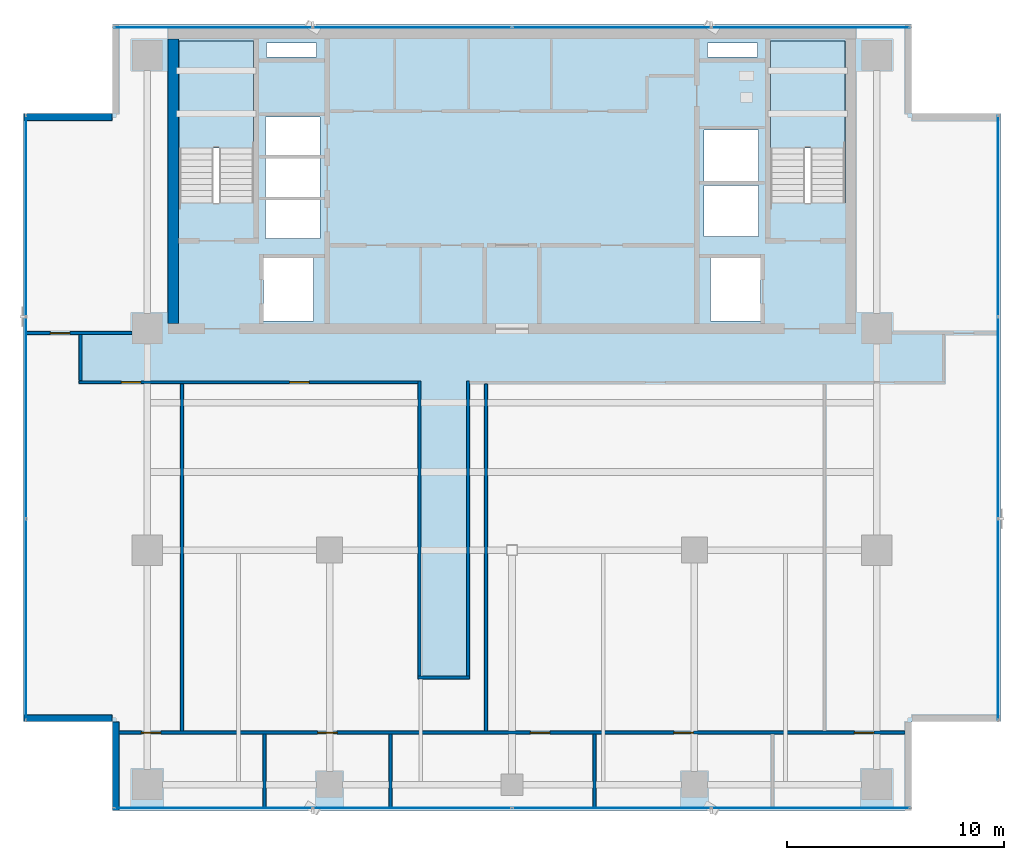
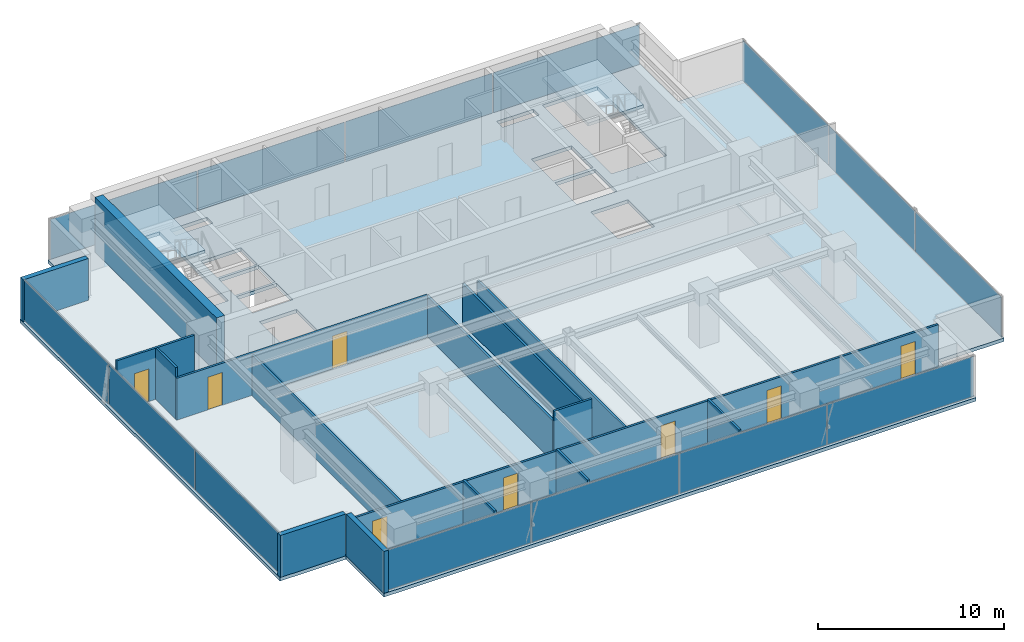
# One storey, part 19 of 26: 16 walls, 14 plates, 8 doors, 3 slabs, 8 openings, 6 elements without a shape of their own.
"""IFC4 building model written with IfcOpenShell, lengths in metres."""

from ifc_helpers import new_model, si_unit, direction, frame, frame_2d, origin, origin_2d, place, context, subcontext, project, spatial, polyline, rectangle, outline, extrude, source, transform, mapped, material, layer, layer_set, type_object, element, fill, aggregate, save


model = new_model("IFC4")

# Units and contexts
model_context = context("Model", 3, precision=1e-05, world=origin(), true_north=direction((0.0, 1.0)))
body_context = subcontext(model_context, "Body", "Model", "MODEL_VIEW")
ifc_project = project(units=[si_unit("LENGTHUNIT", "METRE"), si_unit("AREAUNIT", "SQUARE_METRE"), si_unit("VOLUMEUNIT", "CUBIC_METRE"), si_unit("PLANEANGLEUNIT", "RADIAN"), si_unit("MASSUNIT", "GRAM", prefix="KILO")], contexts=[model_context])

# Site, building, storey
site_placement = place(None, origin())
site = spatial("IfcSite", under=ifc_project, at=site_placement, CompositionType="ELEMENT")
building_placement = place(site_placement, origin())
building = spatial("IfcBuilding", under=site, at=building_placement, Name="Sumidabori Civic Tower", CompositionType="ELEMENT")
storey_placement = place(building_placement, frame((0.0, 0.0, 236.0)))
storey = spatial("IfcBuildingStorey", under=building, at=storey_placement, Name="L61", CompositionType="ELEMENT", Elevation=236.0)

# Stair, slab
ifc_material_1 = material(Name="Concrete C40/50", Category="concrete")
stair_type = type_object("IfcStairType", Name="ST-CORE-1600", PredefinedType="HALF_TURN_STAIR", material=ifc_material_1)
stair_1_placement = place(storey_placement, origin())
stair_1 = element("IfcStair", 1, at=stair_1_placement, inside=storey, type_object=stair_type, Name="L61 ST-1", PredefinedType="HALF_TURN_STAIR")
ifc_layer_1 = layer(ifc_material_1, 0.199951171875, Name="Concrete C40/50")
ifc_layer_set_1 = layer_set([ifc_layer_1], Name="Concrete C40/50")
slab_type_1 = type_object("IfcSlabType", Name="SL-LAND-200", PredefinedType="LANDING", material=ifc_layer_set_1)
slab_1_placement = place(storey_placement, frame((0.0, 0.0, 1.60009765625)))
slab_1 = element("IfcSlab", 2, at=slab_1_placement, type_object=slab_type_1, Name="ST-1 landing 1", PredefinedType="LANDING", context=body_context, shape_type="SweptSolid", body=[
    extrude(outline(polyline([(-11.89990234375, 18.52001953125), (-11.89990234375, 23.449951171875), (-15.340087890625, 23.449951171875), (-15.340087890625, 18.52001953125), (-11.89990234375, 18.52001953125)])), origin(), (0.0, 0.0, 1.0), 0.199951171875),
])
aggregate(stair_1, [slab_1])

stair_2_placement = place(storey_placement, origin())
stair_2 = element("IfcStair", 3, at=stair_2_placement, inside=storey, type_object=stair_type, Name="L61 ST-2", PredefinedType="HALF_TURN_STAIR")
slab_2_placement = place(storey_placement, frame((0.0, 0.0, 1.60009765625)))
slab_2 = element("IfcSlab", 4, at=slab_2_placement, type_object=slab_type_1, Name="ST-2 landing 1", PredefinedType="LANDING", context=body_context, shape_type="SweptSolid", body=[
    extrude(outline(polyline([(15.340087890625, 18.52001953125), (15.340087890625, 23.449951171875), (11.89990234375, 23.449951171875), (11.89990234375, 18.52001953125), (15.340087890625, 18.52001953125)])), origin(), (0.0, 0.0, 1.0), 0.199951171875),
])
aggregate(stair_2, [slab_2])

# Slab
ifc_layer_2 = layer(ifc_material_1, 0.22998046875, Name="Concrete C40/50")
ifc_layer_set_2 = layer_set([ifc_layer_2], Name="Concrete C40/50")
slab_type_2 = type_object("IfcSlabType", Name="SL-Z4-230", PredefinedType="FLOOR", material=ifc_layer_set_2)
slab_3_placement = place(storey_placement, frame((0.0, 0.0, -0.22998046875)))
element("IfcSlab", 5, at=slab_3_placement, inside=storey, type_object=slab_type_2, Name="Structural Slab L61", PredefinedType="FLOOR", context=body_context, shape_type="SweptSolid", body=[
    extrude(outline(polyline([(-18.39990234375, -12.0), (18.39990234375, -12.0), (18.39990234375, -7.89990234375), (22.5, -7.89990234375), (22.5, 20.10009765625), (18.39990234375, 20.10009765625), (18.39990234375, 24.199951171875), (-18.39990234375, 24.199951171875), (-18.39990234375, 20.10009765625), (-22.5, 20.10009765625), (-22.5, -7.89990234375), (-18.39990234375, -7.89990234375), (-18.39990234375, -12.0)]), holes=[polyline([(-11.89990234375, 16.0), (-11.89990234375, 23.449951171875), (-15.340087890625, 23.449951171875), (-15.340087890625, 16.0), (-11.89990234375, 16.0)]), polyline([(15.340087890625, 16.0), (15.340087890625, 23.449951171875), (11.89990234375, 23.449951171875), (11.89990234375, 16.0), (15.340087890625, 16.0)]), polyline([(-11.449951171875, 10.550048828125), (-9.14990234375, 10.550048828125), (-9.14990234375, 13.449951171875), (-11.449951171875, 13.449951171875), (-11.449951171875, 10.550048828125)]), polyline([(9.14990234375, 10.550048828125), (11.449951171875, 10.550048828125), (11.449951171875, 13.449951171875), (9.14990234375, 13.449951171875), (9.14990234375, 10.550048828125)]), polyline([(-11.35009765625, 14.35009765625), (-8.85009765625, 14.35009765625), (-8.85009765625, 16.1201171875), (-11.35009765625, 16.1201171875), (-11.35009765625, 14.35009765625)]), polyline([(-11.35009765625, 16.27001953125), (-8.85009765625, 16.27001953125), (-8.85009765625, 18.0400390625), (-11.35009765625, 18.0400390625), (-11.35009765625, 16.27001953125)]), polyline([(-11.35009765625, 18.18994140625), (-8.85009765625, 18.18994140625), (-8.85009765625, 19.9599609375), (-11.35009765625, 19.9599609375), (-11.35009765625, 18.18994140625)]), polyline([(8.85009765625, 14.449951171875), (11.35009765625, 14.449951171875), (11.35009765625, 16.800048828125), (8.85009765625, 16.800048828125), (8.85009765625, 14.449951171875)]), polyline([(8.85009765625, 17.0), (11.35009765625, 17.0), (11.35009765625, 19.35009765625), (8.85009765625, 19.35009765625), (8.85009765625, 17.0)]), polyline([(-11.300048828125, 22.719970703125), (-9.0, 22.719970703125), (-9.0, 23.35009765625), (-11.300048828125, 23.35009765625), (-11.300048828125, 22.719970703125)]), polyline([(9.0, 22.719970703125), (11.300048828125, 22.719970703125), (11.300048828125, 23.35009765625), (9.0, 23.35009765625), (9.0, 22.719970703125)])]), origin(), (0.0, 0.0, 1.0), 0.22998046875),
])

# Curtain wall, plates
ifc_material_2 = material(Name="Anodised Bronze Aluminium AW-6063-T6", Category="aluminium")
ifc_layer_3 = layer(ifc_material_2, 0.179931640625, Name="Anodised Bronze Aluminium AW-6063-T6")
ifc_layer_set_3 = layer_set([ifc_layer_3], Name="Anodised Bronze Aluminium AW-6063-T6")
curtain_wall_type = type_object("IfcCurtainWallType", Name="CW-SYS-5", PredefinedType="NOTDEFINED", material=ifc_layer_set_3)
curtain_wall_1_placement = place(storey_placement, origin())
curtain_wall_1 = element("IfcCurtainWall", 6, at=curtain_wall_1_placement, inside=storey, type_object=curtain_wall_type, Name="Curtain Wall CW:L61:R04", PredefinedType="NOTDEFINED")
ifc_material_3 = material(Name="Low-E Solar-Control Vision Glazing", Category="glass")
ifc_layer_4 = layer(ifc_material_3, 0.028076171875, Name="Low-E Solar-Control Vision Glazing")
ifc_layer_set_4 = layer_set([ifc_layer_4], Name="Low-E Solar-Control Vision Glazing")
plate_type = type_object("IfcPlateType", Name="CW-PNL-28", PredefinedType="CURTAIN_PANEL", material=ifc_layer_set_4)
shared_shape_1 = source(origin(), body_context, "Body", "SweptSolid", [
    extrude(rectangle(XDim=9.223388671875, YDim=0.028076171875, at=origin_2d()), origin(), (0.0, 0.0, 1.0), 2.6298828125),
])
plate_1_placement = place(storey_placement, frame((22.3798828125, -3.1982421875, 0.06005859375), z_axis=(0.0, 0.0, 1.0), x_axis=(0.0, 1.0, 0.0)))
plate_1 = element("IfcPlate", 7, at=plate_1_placement, type_object=plate_type, Name="CW-5 panel 1.1", PredefinedType="CURTAIN_PANEL", context=body_context, shape_type="MappedRepresentation", body=[
    mapped(shared_shape_1, transform((0.0, 0.0, 0.0), x_axis=(1.0, 0.0, 0.0), y_axis=(0.0, 1.0, 0.0), z_axis=(0.0, 0.0, 1.0), scale=1.0)),
])
plate_2_placement = place(storey_placement, frame((22.3798828125, 15.3984375, 0.06005859375), z_axis=(0.0, 0.0, 1.0), x_axis=(0.0, 1.0, 0.0)))
plate_2 = element("IfcPlate", 8, at=plate_2_placement, type_object=plate_type, Name="CW-5 panel 3.1", PredefinedType="CURTAIN_PANEL", context=body_context, shape_type="MappedRepresentation", body=[
    mapped(shared_shape_1, transform((0.0, 0.0, 0.0), x_axis=(1.0, 0.0, 0.0), y_axis=(0.0, 1.0, 0.0), z_axis=(0.0, 0.0, 1.0), scale=1.0)),
])

curtain_wall_2_placement = place(storey_placement, origin())
curtain_wall_2 = element("IfcCurtainWall", 9, at=curtain_wall_2_placement, inside=storey, type_object=curtain_wall_type, Name="Curtain Wall CW:L61:R10", PredefinedType="NOTDEFINED")
plate_3_placement = place(storey_placement, frame((-22.3798828125, 15.3984375, 0.06005859375), z_axis=(0.0, 0.0, 1.0), x_axis=(0.0, -1.0, 0.0)))
plate_3 = element("IfcPlate", 10, at=plate_3_placement, type_object=plate_type, Name="CW-5 panel 1.1", PredefinedType="CURTAIN_PANEL", context=body_context, shape_type="MappedRepresentation", body=[
    mapped(shared_shape_1, transform((0.0, 0.0, 0.0), x_axis=(1.0, 0.0, 0.0), y_axis=(0.0, 1.0, 0.0), z_axis=(0.0, 0.0, 1.0), scale=1.0)),
])
plate_4_placement = place(storey_placement, frame((-22.3798828125, -3.1982421875, 0.06005859375), z_axis=(0.0, 0.0, 1.0), x_axis=(0.0, -1.0, 0.0)))
plate_4 = element("IfcPlate", 11, at=plate_4_placement, type_object=plate_type, Name="CW-5 panel 3.1", PredefinedType="CURTAIN_PANEL", context=body_context, shape_type="MappedRepresentation", body=[
    mapped(shared_shape_1, transform((0.0, 0.0, 0.0), x_axis=(1.0, 0.0, 0.0), y_axis=(0.0, 1.0, 0.0), z_axis=(0.0, 0.0, 1.0), scale=1.0)),
])

# Plate
shared_shape_2 = source(origin(), body_context, "Body", "SweptSolid", [
    extrude(rectangle(XDim=9.25341796875, YDim=0.028076171875, at=origin_2d()), origin(), (0.0, 0.0, 1.0), 2.6298828125),
])
plate_5_placement = place(storey_placement, frame((22.3798828125, 6.10009765625, 0.06005859375), z_axis=(0.0, 0.0, 1.0), x_axis=(0.0, 1.0, 0.0)))
plate_5 = element("IfcPlate", 12, at=plate_5_placement, type_object=plate_type, Name="CW-5 panel 2.1", PredefinedType="CURTAIN_PANEL", context=body_context, shape_type="MappedRepresentation", body=[
    mapped(shared_shape_2, transform((0.0, 0.0, 0.0), x_axis=(1.0, 0.0, 0.0), y_axis=(0.0, 1.0, 0.0), z_axis=(0.0, 0.0, 1.0), scale=1.0)),
])

aggregate(curtain_wall_1, [plate_1, plate_5, plate_2])

plate_6_placement = place(storey_placement, frame((-22.3798828125, 6.10009765625, 0.06005859375), z_axis=(0.0, 0.0, 1.0), x_axis=(0.0, -1.0, 0.0)))
plate_6 = element("IfcPlate", 13, at=plate_6_placement, type_object=plate_type, Name="CW-5 panel 2.1", PredefinedType="CURTAIN_PANEL", context=body_context, shape_type="MappedRepresentation", body=[
    mapped(shared_shape_2, transform((0.0, 0.0, 0.0), x_axis=(1.0, 0.0, 0.0), y_axis=(0.0, 1.0, 0.0), z_axis=(0.0, 0.0, 1.0), scale=1.0)),
])

aggregate(curtain_wall_2, [plate_3, plate_6, plate_4])

# Curtain wall, plates
curtain_wall_3_placement = place(storey_placement, origin())
curtain_wall_3 = element("IfcCurtainWall", 14, at=curtain_wall_3_placement, inside=storey, type_object=curtain_wall_type, Name="Curtain Wall CW:L61:R01", PredefinedType="NOTDEFINED")
shared_shape_3 = source(origin(), body_context, "Body", "SweptSolid", [
    extrude(rectangle(XDim=9.094970703125, YDim=0.028076171875, at=origin_2d()), origin(), (0.0, 0.0, 1.0), 2.6298828125),
])
plate_7_placement = place(storey_placement, frame((-13.762451171875, -11.8798828125, 0.06005859375), z_axis=(0.0, 0.0, 1.0), x_axis=(1.0, 0.0, 0.0)))
plate_7 = element("IfcPlate", 15, at=plate_7_placement, type_object=plate_type, Name="CW-5 panel 1.1", PredefinedType="CURTAIN_PANEL", context=body_context, shape_type="MappedRepresentation", body=[
    mapped(shared_shape_3, transform((0.0, 0.0, 0.0), x_axis=(1.0, 0.0, 0.0), y_axis=(0.0, 1.0, 0.0), z_axis=(0.0, 0.0, 1.0), scale=1.0)),
])
plate_8_placement = place(storey_placement, frame((13.762451171875, -11.8798828125, 0.06005859375), z_axis=(0.0, 0.0, 1.0), x_axis=(1.0, 0.0, 0.0)))
plate_8 = element("IfcPlate", 16, at=plate_8_placement, type_object=plate_type, Name="CW-5 panel 4.1", PredefinedType="CURTAIN_PANEL", context=body_context, shape_type="MappedRepresentation", body=[
    mapped(shared_shape_3, transform((0.0, 0.0, 0.0), x_axis=(1.0, 0.0, 0.0), y_axis=(0.0, 1.0, 0.0), z_axis=(0.0, 0.0, 1.0), scale=1.0)),
])

curtain_wall_4_placement = place(storey_placement, origin())
curtain_wall_4 = element("IfcCurtainWall", 17, at=curtain_wall_4_placement, inside=storey, type_object=curtain_wall_type, Name="Curtain Wall CW:L61:R07", PredefinedType="NOTDEFINED")
plate_9_placement = place(storey_placement, frame((13.762451171875, 24.080078125, 0.06005859375), z_axis=(0.0, 0.0, 1.0), x_axis=(-1.0, 0.0, 0.0)))
plate_9 = element("IfcPlate", 18, at=plate_9_placement, type_object=plate_type, Name="CW-5 panel 1.1", PredefinedType="CURTAIN_PANEL", context=body_context, shape_type="MappedRepresentation", body=[
    mapped(shared_shape_3, transform((0.0, 0.0, 0.0), x_axis=(1.0, 0.0, 0.0), y_axis=(0.0, 1.0, 0.0), z_axis=(0.0, 0.0, 1.0), scale=1.0)),
])
plate_10_placement = place(storey_placement, frame((-13.762451171875, 24.080078125, 0.06005859375), z_axis=(0.0, 0.0, 1.0), x_axis=(-1.0, 0.0, 0.0)))
plate_10 = element("IfcPlate", 19, at=plate_10_placement, type_object=plate_type, Name="CW-5 panel 4.1", PredefinedType="CURTAIN_PANEL", context=body_context, shape_type="MappedRepresentation", body=[
    mapped(shared_shape_3, transform((0.0, 0.0, 0.0), x_axis=(1.0, 0.0, 0.0), y_axis=(0.0, 1.0, 0.0), z_axis=(0.0, 0.0, 1.0), scale=1.0)),
])

# Plate
shared_shape_4 = source(origin(), body_context, "Body", "SweptSolid", [
    extrude(rectangle(XDim=9.125, YDim=0.028076171875, at=origin_2d()), origin(), (0.0, 0.0, 1.0), 2.6298828125),
])
plate_11_placement = place(storey_placement, frame((-4.592529296875, -11.8798828125, 0.06005859375), z_axis=(0.0, 0.0, 1.0), x_axis=(1.0, 0.0, 0.0)))
plate_11 = element("IfcPlate", 20, at=plate_11_placement, type_object=plate_type, Name="CW-5 panel 2.1", PredefinedType="CURTAIN_PANEL", context=body_context, shape_type="MappedRepresentation", body=[
    mapped(shared_shape_4, transform((0.0, 0.0, 0.0), x_axis=(1.0, 0.0, 0.0), y_axis=(0.0, 1.0, 0.0), z_axis=(0.0, 0.0, 1.0), scale=1.0)),
])

plate_12_placement = place(storey_placement, frame((4.592529296875, -11.8798828125, 0.06005859375), z_axis=(0.0, 0.0, 1.0), x_axis=(1.0, 0.0, 0.0)))
plate_12 = element("IfcPlate", 21, at=plate_12_placement, type_object=plate_type, Name="CW-5 panel 3.1", PredefinedType="CURTAIN_PANEL", context=body_context, shape_type="MappedRepresentation", body=[
    mapped(shared_shape_4, transform((0.0, 0.0, 0.0), x_axis=(1.0, 0.0, 0.0), y_axis=(0.0, 1.0, 0.0), z_axis=(0.0, 0.0, 1.0), scale=1.0)),
])

aggregate(curtain_wall_3, [plate_7, plate_11, plate_12, plate_8])

plate_13_placement = place(storey_placement, frame((4.592529296875, 24.080078125, 0.06005859375), z_axis=(0.0, 0.0, 1.0), x_axis=(-1.0, 0.0, 0.0)))
plate_13 = element("IfcPlate", 22, at=plate_13_placement, type_object=plate_type, Name="CW-5 panel 2.1", PredefinedType="CURTAIN_PANEL", context=body_context, shape_type="MappedRepresentation", body=[
    mapped(shared_shape_4, transform((0.0, 0.0, 0.0), x_axis=(1.0, 0.0, 0.0), y_axis=(0.0, 1.0, 0.0), z_axis=(0.0, 0.0, 1.0), scale=1.0)),
])

plate_14_placement = place(storey_placement, frame((-4.592529296875, 24.080078125, 0.06005859375), z_axis=(0.0, 0.0, 1.0), x_axis=(-1.0, 0.0, 0.0)))
plate_14 = element("IfcPlate", 23, at=plate_14_placement, type_object=plate_type, Name="CW-5 panel 3.1", PredefinedType="CURTAIN_PANEL", context=body_context, shape_type="MappedRepresentation", body=[
    mapped(shared_shape_4, transform((0.0, 0.0, 0.0), x_axis=(1.0, 0.0, 0.0), y_axis=(0.0, 1.0, 0.0), z_axis=(0.0, 0.0, 1.0), scale=1.0)),
])

aggregate(curtain_wall_4, [plate_9, plate_13, plate_14, plate_10])

# Walls
ifc_material_4 = material(Name="Concrete C50/60", Category="concrete")
ifc_layer_5 = layer(ifc_material_4, 0.5, Name="Concrete C50/60")
ifc_layer_set_5 = layer_set([ifc_layer_5], Name="Concrete C50/60")
wall_type_1 = type_object("IfcWallType", Name="WL-CORE-500", PredefinedType="SHEAR", material=ifc_layer_set_5)
shared_shape_5 = source(origin(), body_context, "Body", "SweptSolid", [
    extrude(rectangle(XDim=13.10009765625, YDim=0.5, at=frame_2d((6.550048828125, 0.0))), origin(), (0.0, 0.0, 1.0), 3.60009765625),
])
wall_1_placement = place(storey_placement, frame((-15.60009765625, 10.449951171875, 0.0), z_axis=(0.0, 0.0, 1.0), x_axis=(0.0, 1.0, 0.0)))
element("IfcWall", 24, at=wall_1_placement, inside=storey, type_object=wall_type_1, Name="Core Shear Wall L61 W", PredefinedType="SHEAR", context=body_context, shape_type="MappedRepresentation", body=[
    mapped(shared_shape_5, transform((0.0, 0.0, 0.0), x_axis=(1.0, 0.0, 0.0), y_axis=(0.0, 1.0, 0.0), z_axis=(0.0, 0.0, 1.0), scale=1.0)),
])
ifc_material_5 = material(Name="Precast concrete C40/50", Category="concrete")
ifc_layer_6 = layer(ifc_material_5, 0.300048828125, Name="Precast concrete C40/50")
ifc_layer_set_6 = layer_set([ifc_layer_6], Name="Precast concrete C40/50")
wall_type_2 = type_object("IfcWallType", Name="WL-EXT-POD300", PredefinedType="STANDARD", material=ifc_layer_set_6)
shared_shape_6 = source(origin(), body_context, "Body", "SweptSolid", [
    extrude(rectangle(XDim=4.06005859375, YDim=0.300048828125, at=frame_2d((2.030029296875, 0.0))), origin(), (0.0, 0.0, 1.0), 2.75),
])
for number, where, z_axis, x_axis, name in (
    (25, (-18.419921875, 19.949951171875, 0.0), (0.0, 0.0, 1.0), (-1.0, 0.0, 0.0), "Notched Corner Spandrel Band L61-09"),
    (26, (-22.47998046875, -7.75, 0.0), (0.0, 0.0, 1.0), (1.0, 0.0, 0.0), "Notched Corner Spandrel Band L61-11"),
    (27, (-18.25, -7.919921875, 0.0), (0.0, 0.0, 1.0), (0.0, -1.0, 0.0), "Notched Corner Spandrel Band L61-12"),
):
    element("IfcWall", number, at=place(storey_placement, frame(where, z_axis=z_axis, x_axis=x_axis)), inside=storey, type_object=wall_type_2, Name=name, PredefinedType="STANDARD", context=body_context, shape_type="MappedRepresentation", body=[
        mapped(shared_shape_6, transform((0.0, 0.0, 0.0), x_axis=(1.0, 0.0, 0.0), y_axis=(0.0, 1.0, 0.0), z_axis=(0.0, 0.0, 1.0), scale=1.0)),
    ])

# Wall, opening, door
ifc_material_6 = material(Name="Gypsum Plasterboard Acoustic Partition")
ifc_layer_7 = layer(ifc_material_6, 0.135009765625, Name="Gypsum Plasterboard Acoustic Partition")
ifc_layer_set_7 = layer_set([ifc_layer_7], Name="Gypsum Plasterboard Acoustic Partition")
wall_type_3 = type_object("IfcWallType", Name="WL-PART-135", PredefinedType="PARTITIONING", material=ifc_layer_set_7)
shared_shape_7 = source(origin(), body_context, "Body", "SweptSolid", [
    extrude(rectangle(XDim=4.840087890625, YDim=0.135009765625, at=frame_2d((2.419921875, 0.0))), origin(), (0.0, 0.0, 1.0), 3.3701171875),
])
wall_2_placement = place(storey_placement, frame((-22.35009765625, 10.0, 0.0), z_axis=(0.0, 0.0, 1.0), x_axis=(1.0, 0.0, 0.0)))
wall_2 = element("IfcWall", 28, at=wall_2_placement, inside=storey, type_object=wall_type_3, Name="Interior Partition WL:L61:FLK-NW", PredefinedType="PARTITIONING", context=body_context, shape_type="MappedRepresentation", body=[
    mapped(shared_shape_7, transform((0.0, 0.0, 0.0), x_axis=(1.0, 0.0, 0.0), y_axis=(0.0, 1.0, 0.0), z_axis=(0.0, 0.0, 1.0), scale=1.0)),
])
opening_1_placement = place(wall_2_placement, frame((1.090087890625, 0.0, 0.0)))
opening_1 = element("IfcOpeningElement", 29, at=opening_1_placement, cuts=wall_2, Name="Opening DR-1", PredefinedType="OPENING", context=body_context, shape_type="SweptSolid", body=[
    extrude(rectangle(XDim=0.89990234375, YDim=2.14990234375, at=frame_2d((0.449951171875, 1.074951171875))), frame((0.0, 0.07958984375, 0.0), z_axis=(0.0, -1.0, 0.0), x_axis=(1.0, 0.0, 0.0)), (0.0, 0.0, 1.0), 0.158935546875),
])
ifc_material_7 = material(Name="Japanese Hinoki Timber", Category="wood")
door_type = type_object("IfcDoorType", Name="DR-INT-900", OperationType="NOTDEFINED", PredefinedType="DOOR", material=ifc_material_7)
shared_shape_8 = source(origin(), body_context, "Body", "SweptSolid", [
    extrude(rectangle(XDim=0.89990234375, YDim=2.14990234375, at=frame_2d((0.449951171875, 1.074951171875))), frame((0.0, 0.02490234375, 0.0), z_axis=(0.0, -1.0, 0.0), x_axis=(1.0, 0.0, 0.0)), (0.0, 0.0, 1.0), 0.050048828125),
])
door_1_placement = place(opening_1_placement, origin())
door_1 = element("IfcDoor", 30, at=door_1_placement, inside=storey, type_object=door_type, Name="Door DR:L61:D05", OperationType="SINGLE_SWING_LEFT", OverallHeight=2.14990234375, OverallWidth=0.89990234375, PredefinedType="DOOR", context=body_context, shape_type="MappedRepresentation", body=[
    mapped(shared_shape_8, transform((0.0, 0.0, 0.0), x_axis=(1.0, 0.0, 0.0), y_axis=(0.0, 1.0, 0.0), z_axis=(0.0, 0.0, 1.0), scale=1.0)),
])
fill(opening_1, door_1)

# Walls
shared_shape_9 = source(origin(), body_context, "Body", "SweptSolid", [
    extrude(rectangle(XDim=2.369873046875, YDim=0.135009765625, at=frame_2d((1.18505859375, 0.0))), origin(), (0.0, 0.0, 1.0), 3.3701171875),
])
wall_3_placement = place(storey_placement, frame((-4.3349609375, -5.867431640625, 0.0), z_axis=(0.0, 0.0, 1.0), x_axis=(1.0, 0.0, 0.0)))
element("IfcWall", 31, at=wall_3_placement, inside=storey, type_object=wall_type_3, Name="Interior Partition WL:L61:CORR-CAP-C", PredefinedType="PARTITIONING", context=body_context, shape_type="MappedRepresentation", body=[
    mapped(shared_shape_9, transform((0.0, 0.0, 0.0), x_axis=(1.0, 0.0, 0.0), y_axis=(0.0, 1.0, 0.0), z_axis=(0.0, 0.0, 1.0), scale=1.0)),
])
shared_shape_10 = source(origin(), body_context, "Body", "SweptSolid", [
    extrude(rectangle(XDim=2.12255859375, YDim=0.135009765625, at=frame_2d((1.061279296875, 0.0))), origin(), (0.0, 0.0, 1.0), 3.3701171875),
])
wall_4_placement = place(storey_placement, frame((-19.867431640625, 7.804931640625, 0.0), z_axis=(0.0, 0.0, 1.0), x_axis=(0.0, 1.0, 0.0)))
element("IfcWall", 32, at=wall_4_placement, inside=storey, type_object=wall_type_3, Name="Interior Partition WL:L61:CORR-VNW", PredefinedType="PARTITIONING", context=body_context, shape_type="MappedRepresentation", body=[
    mapped(shared_shape_10, transform((0.0, 0.0, 0.0), x_axis=(1.0, 0.0, 0.0), y_axis=(0.0, 1.0, 0.0), z_axis=(0.0, 0.0, 1.0), scale=1.0)),
])
shared_shape_11 = source(origin(), body_context, "Body", "SweptSolid", [
    extrude(rectangle(XDim=13.594970703125, YDim=0.135009765625, at=frame_2d((6.79736328125, 0.0))), origin(), (0.0, 0.0, 1.0), 2.655029296875),
])
for number, where, z_axis, x_axis, name in (
    (33, (-4.267578125, -5.794921875, 0.0), (0.0, 0.0, 1.0), (0.0, 1.0, 0.0), "Interior Partition WL:L61:CORR-VC-W"),
    (34, (-2.032470703125, -5.794921875, 0.0), (0.0, 0.0, 1.0), (0.0, 1.0, 0.0), "Interior Partition WL:L61:CORR-VC-E"),
):
    element("IfcWall", number, at=place(storey_placement, frame(where, z_axis=z_axis, x_axis=x_axis)), inside=storey, type_object=wall_type_3, Name=name, PredefinedType="PARTITIONING", context=body_context, shape_type="MappedRepresentation", body=[
        mapped(shared_shape_11, transform((0.0, 0.0, 0.0), x_axis=(1.0, 0.0, 0.0), y_axis=(0.0, 1.0, 0.0), z_axis=(0.0, 0.0, 1.0), scale=1.0)),
    ])
shared_shape_12 = source(origin(), body_context, "Body", "SweptSolid", [
    extrude(rectangle(XDim=15.9873046875, YDim=0.135009765625, at=frame_2d((7.99365234375, 0.0))), origin(), (0.0, 0.0, 1.0), 2.655029296875),
])
for number, where, z_axis, x_axis, name in (
    (35, (-15.199951171875, -8.327392578125, 0.0), (0.0, 0.0, 1.0), (0.0, 1.0, 0.0), "Interior Partition WL:L61:VX-N1"),
    (36, (-1.199951171875, -8.327392578125, 0.0), (0.0, 0.0, 1.0), (0.0, 1.0, 0.0), "Interior Partition WL:L61:VX-N2"),
):
    element("IfcWall", number, at=place(storey_placement, frame(where, z_axis=z_axis, x_axis=x_axis)), inside=storey, type_object=wall_type_3, Name=name, PredefinedType="PARTITIONING", context=body_context, shape_type="MappedRepresentation", body=[
        mapped(shared_shape_12, transform((0.0, 0.0, 0.0), x_axis=(1.0, 0.0, 0.0), y_axis=(0.0, 1.0, 0.0), z_axis=(0.0, 0.0, 1.0), scale=1.0)),
    ])
shared_shape_13 = source(origin(), body_context, "Body", "SweptSolid", [
    extrude(rectangle(XDim=3.377685546875, YDim=0.135009765625, at=frame_2d((1.68896484375, 0.0))), origin(), (0.0, 0.0, 1.0), 2.905029296875),
])
for number, where, z_axis, x_axis, name in (
    (37, (-11.39990234375, -11.85009765625, 0.0), (0.0, 0.0, 1.0), (0.0, 1.0, 0.0), "Interior Partition WL:L61:VX-S1"),
    (38, (-5.60009765625, -11.85009765625, 0.0), (0.0, 0.0, 1.0), (0.0, 1.0, 0.0), "Interior Partition WL:L61:VX-S2"),
    (39, (3.800048828125, -11.85009765625, 0.0), (0.0, 0.0, 1.0), (0.0, 1.0, 0.0), "Interior Partition WL:L61:VX-S3"),
):
    element("IfcWall", number, at=place(storey_placement, frame(where, z_axis=z_axis, x_axis=x_axis)), inside=storey, type_object=wall_type_3, Name=name, PredefinedType="PARTITIONING", context=body_context, shape_type="MappedRepresentation", body=[
        mapped(shared_shape_13, transform((0.0, 0.0, 0.0), x_axis=(1.0, 0.0, 0.0), y_axis=(0.0, 1.0, 0.0), z_axis=(0.0, 0.0, 1.0), scale=1.0)),
    ])

# Wall, openings, doors
shared_shape_14 = source(origin(), body_context, "Body", "SweptSolid", [
    extrude(rectangle(XDim=15.60009765625, YDim=0.135009765625, at=frame_2d((7.800048828125, 0.0))), origin(), (0.0, 0.0, 1.0), 2.7548828125),
])
wall_5_placement = place(storey_placement, frame((-19.93505859375, 7.732421875, 0.0), z_axis=(0.0, 0.0, 1.0), x_axis=(1.0, 0.0, 0.0)))
wall_5 = element("IfcWall", 40, at=wall_5_placement, inside=storey, type_object=wall_type_3, Name="Interior Partition WL:L61:CORR-SW", PredefinedType="PARTITIONING", context=body_context, shape_type="MappedRepresentation", body=[
    mapped(shared_shape_14, transform((0.0, 0.0, 0.0), x_axis=(1.0, 0.0, 0.0), y_axis=(0.0, 1.0, 0.0), z_axis=(0.0, 0.0, 1.0), scale=1.0)),
])
opening_2_placement = place(wall_5_placement, frame((1.943603515625, 0.0, 0.0)))
opening_2 = element("IfcOpeningElement", 41, at=opening_2_placement, cuts=wall_5, Name="Opening DR-1", PredefinedType="OPENING", context=body_context, shape_type="SweptSolid", body=[
    extrude(rectangle(XDim=0.89990234375, YDim=2.14990234375, at=frame_2d((0.449951171875, 1.074951171875))), frame((0.0, 0.07958984375, 0.0), z_axis=(0.0, -1.0, 0.0), x_axis=(1.0, 0.0, 0.0)), (0.0, 0.0, 1.0), 0.158935546875),
])
opening_3_placement = place(wall_5_placement, frame((9.69140625, 0.0, 0.0)))
opening_3 = element("IfcOpeningElement", 42, at=opening_3_placement, cuts=wall_5, Name="Opening DR-1", PredefinedType="OPENING", context=body_context, shape_type="SweptSolid", body=[
    extrude(rectangle(XDim=0.89990234375, YDim=2.14990234375, at=frame_2d((0.449951171875, 1.074951171875))), frame((0.0, 0.07958984375, 0.0), z_axis=(0.0, -1.0, 0.0), x_axis=(1.0, 0.0, 0.0)), (0.0, 0.0, 1.0), 0.158935546875),
])
door_2_placement = place(opening_2_placement, origin())
door_2 = element("IfcDoor", 43, at=door_2_placement, inside=storey, type_object=door_type, Name="Door DR:L61:D01", OperationType="SINGLE_SWING_LEFT", OverallHeight=2.14990234375, OverallWidth=0.89990234375, PredefinedType="DOOR", context=body_context, shape_type="MappedRepresentation", body=[
    mapped(shared_shape_8, transform((0.0, 0.0, 0.0), x_axis=(1.0, 0.0, 0.0), y_axis=(0.0, 1.0, 0.0), z_axis=(0.0, 0.0, 1.0), scale=1.0)),
])
fill(opening_2, door_2)
door_3_placement = place(opening_3_placement, origin())
door_3 = element("IfcDoor", 44, at=door_3_placement, inside=storey, type_object=door_type, Name="Door DR:L61:D04", OperationType="SINGLE_SWING_RIGHT", OverallHeight=2.14990234375, OverallWidth=0.89990234375, PredefinedType="DOOR", context=body_context, shape_type="MappedRepresentation", body=[
    mapped(shared_shape_8, transform((0.0, 0.0, 0.0), x_axis=(1.0, 0.0, 0.0), y_axis=(0.0, 1.0, 0.0), z_axis=(0.0, 0.0, 1.0), scale=1.0)),
])
fill(opening_3, door_3)

shared_shape_15 = source(origin(), body_context, "Body", "SweptSolid", [
    extrude(rectangle(XDim=36.18408203125, YDim=0.135009765625, at=frame_2d((18.092041015625, 0.0))), origin(), (0.0, 0.0, 1.0), 2.7548828125),
])
wall_6_placement = place(storey_placement, frame((-18.092041015625, -8.39990234375, 0.0), z_axis=(0.0, 0.0, 1.0), x_axis=(1.0, 0.0, 0.0)))
wall_6 = element("IfcWall", 45, at=wall_6_placement, inside=storey, type_object=wall_type_3, Name="Interior Partition WL:L61:BAND-Y", PredefinedType="PARTITIONING", context=body_context, shape_type="MappedRepresentation", body=[
    mapped(shared_shape_15, transform((0.0, 0.0, 0.0), x_axis=(1.0, 0.0, 0.0), y_axis=(0.0, 1.0, 0.0), z_axis=(0.0, 0.0, 1.0), scale=1.0)),
])
opening_4_placement = place(wall_6_placement, frame((1.022216796875, 0.0, 0.0)))
opening_4 = element("IfcOpeningElement", 46, at=opening_4_placement, cuts=wall_6, Name="Opening DR-1", PredefinedType="OPENING", context=body_context, shape_type="SweptSolid", body=[
    extrude(rectangle(XDim=0.89990234375, YDim=2.14990234375, at=frame_2d((0.449951171875, 1.074951171875))), frame((0.0, 0.07958984375, 0.0), z_axis=(0.0, -1.0, 0.0), x_axis=(1.0, 0.0, 0.0)), (0.0, 0.0, 1.0), 0.158935546875),
])
opening_5_placement = place(wall_6_placement, frame((9.14208984375, 0.0, 0.0)))
opening_5 = element("IfcOpeningElement", 47, at=opening_5_placement, cuts=wall_6, Name="Opening DR-1", PredefinedType="OPENING", context=body_context, shape_type="SweptSolid", body=[
    extrude(rectangle(XDim=0.89990234375, YDim=2.14990234375, at=frame_2d((0.449951171875, 1.074951171875))), frame((0.0, 0.07958984375, 0.0), z_axis=(0.0, -1.0, 0.0), x_axis=(1.0, 0.0, 0.0)), (0.0, 0.0, 1.0), 0.158935546875),
])
opening_6_placement = place(wall_6_placement, frame((33.86181640625, 0.0, 0.0)))
opening_6 = element("IfcOpeningElement", 48, at=opening_6_placement, cuts=wall_6, Name="Opening DR-1", PredefinedType="OPENING", context=body_context, shape_type="SweptSolid", body=[
    extrude(rectangle(XDim=0.89990234375, YDim=2.14990234375, at=frame_2d((0.449951171875, 1.074951171875))), frame((0.0, 0.07958984375, 0.0), z_axis=(0.0, -1.0, 0.0), x_axis=(1.0, 0.0, 0.0)), (0.0, 0.0, 1.0), 0.158935546875),
])
opening_7_placement = place(wall_6_placement, frame((18.94189453125, 0.0, 0.0)))
opening_7 = element("IfcOpeningElement", 49, at=opening_7_placement, cuts=wall_6, Name="Opening DR-1", PredefinedType="OPENING", context=body_context, shape_type="SweptSolid", body=[
    extrude(rectangle(XDim=0.89990234375, YDim=2.14990234375, at=frame_2d((0.449951171875, 1.074951171875))), frame((0.0, 0.07958984375, 0.0), z_axis=(0.0, -1.0, 0.0), x_axis=(1.0, 0.0, 0.0)), (0.0, 0.0, 1.0), 0.158935546875),
])
opening_8_placement = place(wall_6_placement, frame((25.5419921875, 0.0, 0.0)))
opening_8 = element("IfcOpeningElement", 50, at=opening_8_placement, cuts=wall_6, Name="Opening DR-1", PredefinedType="OPENING", context=body_context, shape_type="SweptSolid", body=[
    extrude(rectangle(XDim=0.89990234375, YDim=2.14990234375, at=frame_2d((0.449951171875, 1.074951171875))), frame((0.0, 0.07958984375, 0.0), z_axis=(0.0, -1.0, 0.0), x_axis=(1.0, 0.0, 0.0)), (0.0, 0.0, 1.0), 0.158935546875),
])
door_4_placement = place(opening_4_placement, origin())
door_4 = element("IfcDoor", 51, at=door_4_placement, inside=storey, type_object=door_type, Name="Door DR:L61:D07", OperationType="SINGLE_SWING_LEFT", OverallHeight=2.14990234375, OverallWidth=0.89990234375, PredefinedType="DOOR", context=body_context, shape_type="MappedRepresentation", body=[
    mapped(shared_shape_8, transform((0.0, 0.0, 0.0), x_axis=(1.0, 0.0, 0.0), y_axis=(0.0, 1.0, 0.0), z_axis=(0.0, 0.0, 1.0), scale=1.0)),
])
fill(opening_4, door_4)
door_5_placement = place(opening_5_placement, origin())
door_5 = element("IfcDoor", 52, at=door_5_placement, inside=storey, type_object=door_type, Name="Door DR:L61:D08", OperationType="SINGLE_SWING_RIGHT", OverallHeight=2.14990234375, OverallWidth=0.89990234375, PredefinedType="DOOR", context=body_context, shape_type="MappedRepresentation", body=[
    mapped(shared_shape_8, transform((0.0, 0.0, 0.0), x_axis=(1.0, 0.0, 0.0), y_axis=(0.0, 1.0, 0.0), z_axis=(0.0, 0.0, 1.0), scale=1.0)),
])
fill(opening_5, door_5)
door_6_placement = place(opening_6_placement, origin())
door_6 = element("IfcDoor", 53, at=door_6_placement, inside=storey, type_object=door_type, Name="Door DR:L61:D09", OperationType="SINGLE_SWING_LEFT", OverallHeight=2.14990234375, OverallWidth=0.89990234375, PredefinedType="DOOR", context=body_context, shape_type="MappedRepresentation", body=[
    mapped(shared_shape_8, transform((0.0, 0.0, 0.0), x_axis=(1.0, 0.0, 0.0), y_axis=(0.0, 1.0, 0.0), z_axis=(0.0, 0.0, 1.0), scale=1.0)),
])
fill(opening_6, door_6)
door_7_placement = place(opening_7_placement, origin())
door_7 = element("IfcDoor", 54, at=door_7_placement, inside=storey, type_object=door_type, Name="Door DR:L61:D10", OperationType="SINGLE_SWING_RIGHT", OverallHeight=2.14990234375, OverallWidth=0.89990234375, PredefinedType="DOOR", context=body_context, shape_type="MappedRepresentation", body=[
    mapped(shared_shape_8, transform((0.0, 0.0, 0.0), x_axis=(1.0, 0.0, 0.0), y_axis=(0.0, 1.0, 0.0), z_axis=(0.0, 0.0, 1.0), scale=1.0)),
])
fill(opening_7, door_7)
door_8_placement = place(opening_8_placement, origin())
door_8 = element("IfcDoor", 55, at=door_8_placement, inside=storey, type_object=door_type, Name="Door DR:L61:D11", OperationType="SINGLE_SWING_LEFT", OverallHeight=2.14990234375, OverallWidth=0.89990234375, PredefinedType="DOOR", context=body_context, shape_type="MappedRepresentation", body=[
    mapped(shared_shape_8, transform((0.0, 0.0, 0.0), x_axis=(1.0, 0.0, 0.0), y_axis=(0.0, 1.0, 0.0), z_axis=(0.0, 0.0, 1.0), scale=1.0)),
])
fill(opening_8, door_8)

save(model, "model.ifc")
